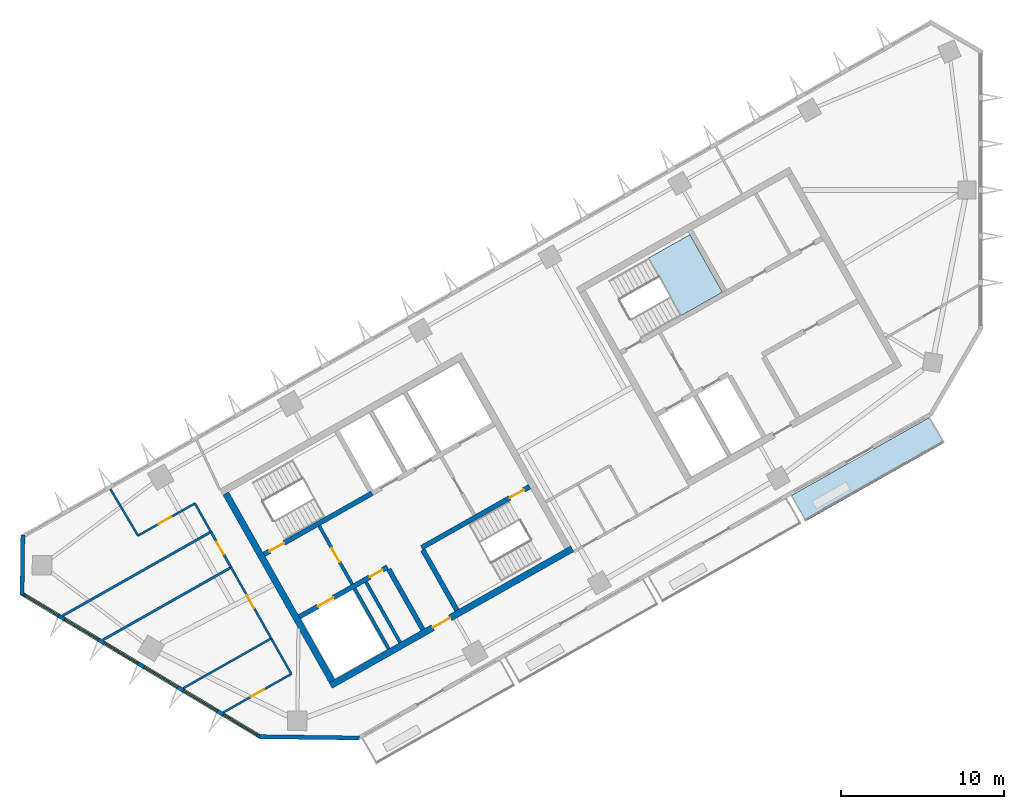
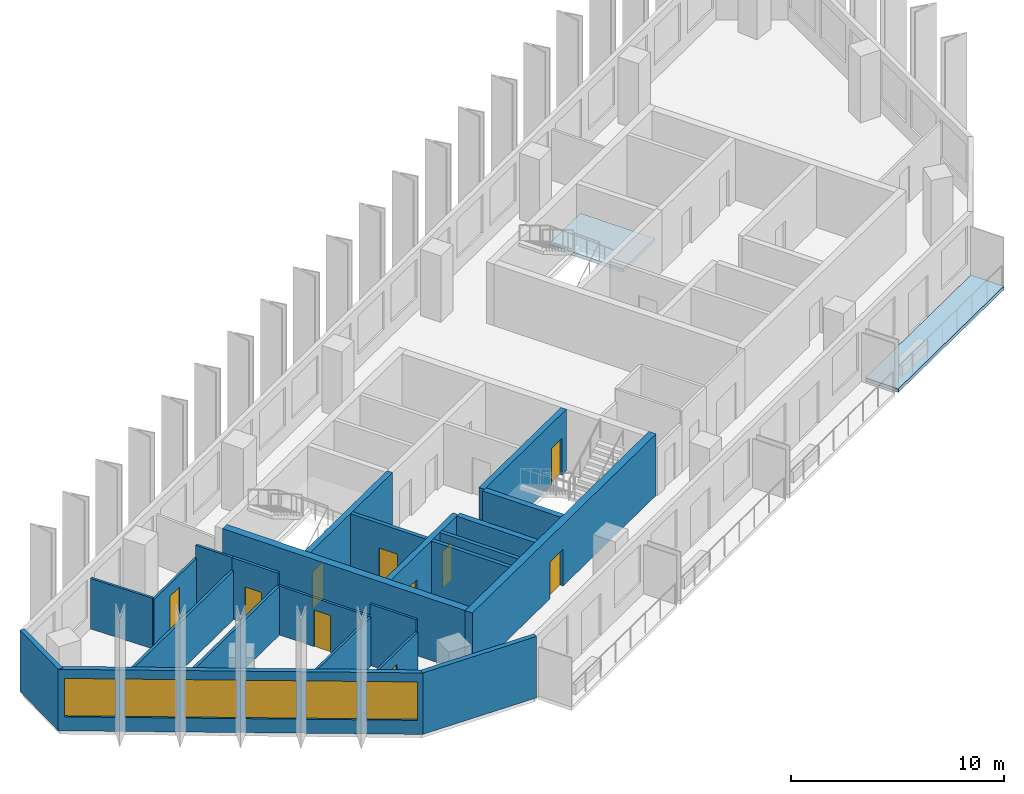
# One storey, part 2 of 8: 23 walls, 10 doors, 6 windows, 2 slabs, 16 openings, 1 element without a shape of its own.
"""IFC4 building model written with IfcOpenShell, lengths in metres."""

from ifc_helpers import new_model, si_unit, direction, frame, frame_2d, origin, place, context, subcontext, project, spatial, polyline, rectangle, outline, extrude, material, layer, layer_set, type_object, element, fill, aggregate, save


model = new_model("IFC4")

# Units and contexts
model_context = context("Model", 3, precision=1e-05, world=origin(), true_north=direction((0.0, 1.0)))
body_context = subcontext(model_context, "Body", "Model", "MODEL_VIEW")
ifc_project = project(units=[si_unit("LENGTHUNIT", "METRE"), si_unit("AREAUNIT", "SQUARE_METRE"), si_unit("VOLUMEUNIT", "CUBIC_METRE"), si_unit("PLANEANGLEUNIT", "RADIAN"), si_unit("MASSUNIT", "GRAM", prefix="KILO")], contexts=[model_context])

# Site, building, storey
site_placement = place(None, origin())
site = spatial("IfcSite", under=ifc_project, at=site_placement, CompositionType="ELEMENT")
building_placement = place(site_placement, origin())
building = spatial("IfcBuilding", under=site, at=building_placement, Name="Binnacle Exchange Tower", CompositionType="ELEMENT")
storey_placement = place(building_placement, frame((0.0, 0.0, 300.699951171875)))
storey = spatial("IfcBuildingStorey", under=building, at=storey_placement, Name="L67", CompositionType="ELEMENT", Elevation=300.699951171875)

# Slab
ifc_material_1 = material(Name="Concrete C35/45", Category="concrete")
ifc_layer_1 = layer(ifc_material_1, 0.199951171875)
ifc_layer_set_1 = layer_set([ifc_layer_1], Name="BALCONY SLAB 200")
slab_type_1 = type_object("IfcSlabType", Name="BALCONY SLAB 200", PredefinedType="FLOOR", material=ifc_layer_set_1)
slab_1_placement = place(storey_placement, frame((0.0, 0.0, -0.199951171875)))
element("IfcSlab", 1, at=slab_1_placement, inside=storey, type_object=slab_type_1, Name="Balcony BA-H07-03 L67", PredefinedType="FLOOR", context=body_context, shape_type="SweptSolid", body=[
    extrude(outline(polyline([(-11.616943359375, 41.28369140625), (-3.115234375, 46.093994140625), (-2.22900390625, 44.527099609375), (-10.730712890625, 39.717041015625), (-11.616943359375, 41.28369140625)])), origin(), (0.0, 0.0, 1.0), 0.199951171875),
])

# Stair, slab
stair_type = type_object("IfcStairType", Name="STAIR 22 RISERS 173", PredefinedType="HALF_TURN_STAIR", material=ifc_material_1)
stair_placement = place(storey_placement, origin())
stair = element("IfcStair", 2, at=stair_placement, inside=storey, type_object=stair_type, Name="L67 Escape stair C1", PredefinedType="HALF_TURN_STAIR")
ifc_layer_2 = layer(ifc_material_1, 0.199951171875)
ifc_layer_set_2 = layer_set([ifc_layer_2], Name="STAIR LANDING 200")
slab_type_2 = type_object("IfcSlabType", Name="STAIR LANDING 200", PredefinedType="LANDING", material=ifc_layer_set_2)
slab_2_placement = place(storey_placement, frame((0.0, 0.0, 1.699951171875)))
slab_2 = element("IfcSlab", 3, at=slab_2_placement, type_object=slab_type_2, Name="STC1 landing 1", PredefinedType="LANDING", context=body_context, shape_type="SweptSolid", body=[
    extrude(outline(polyline([(-18.364013671875, 52.31005859375), (-15.822509765625, 53.748046875), (-17.81689453125, 57.27294921875), (-20.3583984375, 55.8349609375), (-18.364013671875, 52.31005859375)])), origin(), (0.0, 0.0, 1.0), 0.2001953125),
])
aggregate(stair, [slab_2])

# Wall, openings, doors
ifc_material_2 = material(Name="Concrete C70/85", Category="concrete")
ifc_layer_3 = layer(ifc_material_2, 0.300048828125)
ifc_layer_set_3 = layer_set([ifc_layer_3], Name="Core wall - front 300")
wall_type_1 = type_object("IfcWallType", Name="Core wall - front 300", PredefinedType="SOLIDWALL", material=ifc_layer_set_3)
wall_1_placement = place(storey_placement, frame((-41.72998046875, 33.862548828125, 0.0), z_axis=(0.0, 0.0, 1.0), x_axis=(0.870350800578, 0.492432212525, 0.0)))
wall_1 = element("IfcWall", 4, at=wall_1_placement, inside=storey, type_object=wall_type_1, Name="Core wall CRWA2", PredefinedType="SOLIDWALL", context=body_context, shape_type="SweptSolid", body=[
    extrude(rectangle(XDim=6.19970703125, YDim=0.300048828125, at=frame_2d((3.099853515625, 0.0))), origin(), (0.0, 0.0, 1.0), 3.52001953125),
])
opening_1_placement = place(wall_1_placement, frame((1.300048828125, 0.0, 0.0)))
opening_1 = element("IfcOpeningElement", 5, at=opening_1_placement, cuts=wall_1, Name="Opening LD12", PredefinedType="OPENING", context=body_context, shape_type="SweptSolid", body=[
    extrude(rectangle(XDim=1.10009765625, YDim=2.10009765625, at=frame_2d((0.550048828125, 1.050048828125))), frame((0.0, 0.159912109375, 0.0), z_axis=(0.0, -1.0, 0.0), x_axis=(1.0, 0.0, 0.0)), (0.0, 0.0, 1.0), 0.320068359375),
])
opening_2_placement = place(wall_1_placement, frame((4.949951171875, 0.0, 0.0)))
opening_2 = element("IfcOpeningElement", 6, at=opening_2_placement, cuts=wall_1, Name="Opening DA14", PredefinedType="OPENING", context=body_context, shape_type="SweptSolid", body=[
    extrude(rectangle(XDim=0.89990234375, YDim=2.10009765625, at=frame_2d((0.449951171875, 1.050048828125))), frame((0.0, 0.159912109375, 0.0), z_axis=(0.0, -1.0, 0.0), x_axis=(1.0, 0.0, 0.0)), (0.0, 0.0, 1.0), 0.320068359375),
])
ifc_material_3 = material(Name="Steel door leaf", Category="steel")
door_type_1 = type_object("IfcDoorType", Name="Fire door - lift landing 1100", OperationType="NOTDEFINED", PredefinedType="DOOR", material=ifc_material_3)
door_1_placement = place(opening_1_placement, origin())
door_1 = element("IfcDoor", 7, at=door_1_placement, inside=storey, type_object=door_type_1, Name="Landing door LD12 L67", OperationType="DOUBLE_DOOR_SLIDING", OverallHeight=2.10009765625, OverallWidth=1.10009765625, PredefinedType="DOOR", context=body_context, shape_type="SweptSolid", body=[
    extrude(rectangle(XDim=1.10009765625, YDim=2.10009765625, at=frame_2d((0.550048828125, 1.050048828125))), frame((0.0, 0.02490234375, 0.0), z_axis=(0.0, -1.0, 0.0), x_axis=(1.0, 0.0, 0.0)), (0.0, 0.0, 1.0), 0.050048828125),
])
fill(opening_1, door_1)
door_type_2 = type_object("IfcDoorType", Name="Fire door 900", OperationType="NOTDEFINED", PredefinedType="DOOR", material=ifc_material_3)
door_2_placement = place(opening_2_placement, frame((0.89990234375, 0.0, 0.0), z_axis=(0.0, 0.0, 1.0), x_axis=(-1.0, 0.0, 0.0)))
door_2 = element("IfcDoor", 8, at=door_2_placement, inside=storey, type_object=door_type_2, Name="Core room door FIBRE ENTRY ROOM", OperationType="SINGLE_SWING_LEFT", OverallHeight=2.10009765625, OverallWidth=0.89990234375, PredefinedType="DOOR", context=body_context, shape_type="SweptSolid", body=[
    extrude(rectangle(XDim=0.89990234375, YDim=2.10009765625, at=frame_2d((0.449951171875, 1.050048828125))), frame((0.0, 0.02490234375, 0.0), z_axis=(0.0, -1.0, 0.0), x_axis=(1.0, 0.0, 0.0)), (0.0, 0.0, 1.0), 0.050048828125),
])
fill(opening_2, door_2)

# Wall
wall_2_placement = place(storey_placement, frame((-36.260009765625, 36.784912109375, 0.0), z_axis=(0.0, 0.0, 1.0), x_axis=(0.492422543467, -0.870356271124, 0.0)))
element("IfcWall", 9, at=wall_2_placement, inside=storey, type_object=wall_type_1, Name="Core wall CRWA13", PredefinedType="SOLIDWALL", context=body_context, shape_type="SweptSolid", body=[
    extrude(rectangle(XDim=4.25, YDim=0.300048828125, at=frame_2d((2.125, 0.0))), origin(), (0.0, 0.0, 1.0), 3.52001953125),
])

# Wall, opening, door
ifc_layer_4 = layer(ifc_material_2, 0.39990234375)
ifc_layer_set_4 = layer_set([ifc_layer_4], Name="Core wall - outer 400")
wall_type_2 = type_object("IfcWallType", Name="Core wall - outer 400", PredefinedType="SOLIDWALL", material=ifc_layer_set_4)
wall_3_placement = place(storey_placement, frame((-39.81298828125, 29.661865234375, 0.0), z_axis=(0.0, 0.0, 1.0), x_axis=(0.870350116061, 0.492433422375, 0.0)))
wall_3 = element("IfcWall", 10, at=wall_3_placement, inside=storey, type_object=wall_type_2, Name="Core wall CRWA1", PredefinedType="SOLIDWALL", context=body_context, shape_type="SweptSolid", body=[
    extrude(rectangle(XDim=17.0, YDim=0.39990234375, at=frame_2d((8.5, 0.0))), origin(), (0.0, 0.0, 1.0), 3.52001953125),
])
opening_3_placement = place(wall_3_placement, frame((7.199951171875, 0.0, 0.0)))
opening_3 = element("IfcOpeningElement", 11, at=opening_3_placement, cuts=wall_3, Name="Opening DA7", PredefinedType="OPENING", context=body_context, shape_type="SweptSolid", body=[
    extrude(rectangle(XDim=1.199951171875, YDim=2.10009765625, at=frame_2d((0.60009765625, 1.050048828125))), frame((0.0, 0.2099609375, 0.0), z_axis=(0.0, -1.0, 0.0), x_axis=(1.0, 0.0, 0.0)), (0.0, 0.0, 1.0), 0.419921875),
])
door_type_3 = type_object("IfcDoorType", Name="Fire door 1200", OperationType="NOTDEFINED", PredefinedType="DOOR", material=ifc_material_3)
door_3_placement = place(opening_3_placement, frame((1.199951171875, 0.0, 0.0), z_axis=(0.0, 0.0, 1.0), x_axis=(-1.0, 0.0, 0.0)))
door_3 = element("IfcDoor", 12, at=door_3_placement, inside=storey, type_object=door_type_3, Name="Lift lobby entrance door core A", OperationType="SINGLE_SWING_RIGHT", OverallHeight=2.10009765625, OverallWidth=1.199951171875, PredefinedType="DOOR", context=body_context, shape_type="SweptSolid", body=[
    extrude(rectangle(XDim=1.199951171875, YDim=2.10009765625, at=frame_2d((0.60009765625, 1.050048828125))), frame((0.0, 0.02490234375, 0.0), z_axis=(0.0, -1.0, 0.0), x_axis=(1.0, 0.0, 0.0)), (0.0, 0.0, 1.0), 0.050048828125),
])
fill(opening_3, door_3)

# Wall
wall_4_placement = place(storey_placement, frame((-46.237548828125, 41.423095703125, 0.0), z_axis=(0.0, 0.0, 1.0), x_axis=(0.492421663121, -0.870356769198, 0.0)))
element("IfcWall", 13, at=wall_4_placement, inside=storey, type_object=wall_type_2, Name="Core wall CRWA7", PredefinedType="SOLIDWALL", context=body_context, shape_type="SweptSolid", body=[
    extrude(rectangle(XDim=13.199951171875, YDim=0.39990234375, at=frame_2d((6.60009765625, 0.0))), origin(), (0.0, 0.0, 1.0), 3.52001953125),
])

# Wall, opening, door
ifc_layer_5 = layer(ifc_material_2, 0.300048828125)
ifc_layer_set_5 = layer_set([ifc_layer_5], Name="Core wall - stair 300")
wall_type_3 = type_object("IfcWallType", Name="Core wall - stair 300", PredefinedType="SOLIDWALL", material=ifc_layer_set_5)
wall_5_placement = place(storey_placement, frame((-34.2451171875, 38.097412109375, 0.0), z_axis=(0.0, 0.0, 1.0), x_axis=(0.870356351998, 0.492422400523, 0.0)))
wall_5 = element("IfcWall", 14, at=wall_5_placement, inside=storey, type_object=wall_type_3, Name="Core wall CRWA3", PredefinedType="SOLIDWALL", context=body_context, shape_type="SweptSolid", body=[
    extrude(rectangle(XDim=7.60009765625, YDim=0.300048828125, at=frame_2d((3.800048828125, 0.0))), origin(), (0.0, 0.0, 1.0), 3.52001953125),
])
opening_4_placement = place(wall_5_placement, frame((6.199951171875, 0.0, 0.0)))
opening_4 = element("IfcOpeningElement", 15, at=opening_4_placement, cuts=wall_5, Name="Opening DA2", PredefinedType="OPENING", context=body_context, shape_type="SweptSolid", body=[
    extrude(rectangle(XDim=1.0, YDim=2.10009765625, at=frame_2d((0.5, 1.050048828125))), frame((0.0, 0.159912109375, 0.0), z_axis=(0.0, -1.0, 0.0), x_axis=(1.0, 0.0, 0.0)), (0.0, 0.0, 1.0), 0.320068359375),
])
door_type_4 = type_object("IfcDoorType", Name="Fire door 1000", OperationType="NOTDEFINED", PredefinedType="DOOR", material=ifc_material_3)
door_4_placement = place(opening_4_placement, frame((1.0, 0.0, 0.0), z_axis=(0.0, 0.0, 1.0), x_axis=(-1.0, 0.0, 0.0)))
door_4 = element("IfcDoor", 16, at=door_4_placement, inside=storey, type_object=door_type_4, Name="Stair door ST-A2", OperationType="SINGLE_SWING_LEFT", OverallHeight=2.10009765625, OverallWidth=1.0, PredefinedType="DOOR", context=body_context, shape_type="SweptSolid", body=[
    extrude(rectangle(XDim=1.0, YDim=2.10009765625, at=frame_2d((0.5, 1.050048828125))), frame((0.0, 0.02490234375, 0.0), z_axis=(0.0, -1.0, 0.0), x_axis=(1.0, 0.0, 0.0)), (0.0, 0.0, 1.0), 0.050048828125),
])
fill(opening_4, door_4)

wall_6_placement = place(storey_placement, frame((-43.896728515625, 37.692138671875, 0.0), z_axis=(0.0, 0.0, 1.0), x_axis=(0.870356351998, 0.492422400523, 0.0)))
wall_6 = element("IfcWall", 17, at=wall_6_placement, inside=storey, type_object=wall_type_3, Name="Core wall CRWA4", PredefinedType="SOLIDWALL", context=body_context, shape_type="SweptSolid", body=[
    extrude(rectangle(XDim=7.60009765625, YDim=0.300048828125, at=frame_2d((3.800048828125, 0.0))), origin(), (0.0, 0.0, 1.0), 3.52001953125),
])
opening_5_placement = place(wall_6_placement, frame((0.39990234375, 0.0, 0.0)))
opening_5 = element("IfcOpeningElement", 18, at=opening_5_placement, cuts=wall_6, Name="Opening DA1", PredefinedType="OPENING", context=body_context, shape_type="SweptSolid", body=[
    extrude(rectangle(XDim=1.0, YDim=2.10009765625, at=frame_2d((0.5, 1.050048828125))), frame((0.0, 0.159912109375, 0.0), z_axis=(0.0, -1.0, 0.0), x_axis=(1.0, 0.0, 0.0)), (0.0, 0.0, 1.0), 0.320068359375),
])
door_5_placement = place(opening_5_placement, origin())
door_5 = element("IfcDoor", 19, at=door_5_placement, inside=storey, type_object=door_type_4, Name="Stair door ST-A1", OperationType="SINGLE_SWING_LEFT", OverallHeight=2.10009765625, OverallWidth=1.0, PredefinedType="DOOR", context=body_context, shape_type="SweptSolid", body=[
    extrude(rectangle(XDim=1.0, YDim=2.10009765625, at=frame_2d((0.5, 1.050048828125))), frame((0.0, 0.02490234375, 0.0), z_axis=(0.0, -1.0, 0.0), x_axis=(1.0, 0.0, 0.0)), (0.0, 0.0, 1.0), 0.050048828125),
])
fill(opening_5, door_5)

# Walls
wall_7_placement = place(storey_placement, frame((-34.171142578125, 37.966796875, 0.0), z_axis=(0.0, 0.0, 1.0), x_axis=(0.492422543467, -0.870356271124, 0.0)))
element("IfcWall", 20, at=wall_7_placement, inside=storey, type_object=wall_type_3, Name="Core wall CRWA16", PredefinedType="SOLIDWALL", context=body_context, shape_type="SweptSolid", body=[
    extrude(rectangle(XDim=4.25, YDim=0.300048828125, at=frame_2d((2.125, 0.0))), origin(), (0.0, 0.0, 1.0), 3.52001953125),
])
ifc_material_4 = material(Name="Bronze aluminium cladding", Category="aluminium")
ifc_layer_6 = layer(ifc_material_4, 0.25)
ifc_layer_set_6 = layer_set([ifc_layer_6], Name="External wall - window wall 250")
wall_type_4 = type_object("IfcWallType", Name="External wall - window wall 250", PredefinedType="STANDARD", material=ifc_layer_set_6)
wall_8_placement = place(storey_placement, frame((-58.717041015625, 35.208251953125, 0.0), z_axis=(0.0, 0.0, 1.0), x_axis=(0.01310512158, 0.999914124207, 0.0)))
element("IfcWall", 21, at=wall_8_placement, inside=storey, type_object=wall_type_4, Name="External wall EW-H04 L67", PredefinedType="STANDARD", context=body_context, shape_type="SweptSolid", body=[
    extrude(rectangle(XDim=3.669921875, YDim=0.25, at=frame_2d((1.8349609375, 0.0))), origin(), (0.0, 0.0, 1.0), 3.52001953125),
])

# Wall, openings, windows
wall_9_placement = place(storey_placement, frame((-44.115234375, 26.507080078125, 0.0), z_axis=(0.0, 0.0, 1.0), x_axis=(-0.857166583633, 0.515039268311, 0.0)))
wall_9 = element("IfcWall", 22, at=wall_9_placement, inside=storey, type_object=wall_type_4, Name="External wall EW-H05 L67", PredefinedType="STANDARD", context=body_context, shape_type="SweptSolid", body=[
    extrude(rectangle(XDim=17.105712890625, YDim=0.25, at=frame_2d((8.552734375, 0.0))), origin(), (0.0, 0.0, 1.0), 3.52001953125),
])
opening_6_placement = place(wall_9_placement, frame((14.4169921875, 0.0, 0.800048828125)))
opening_6 = element("IfcOpeningElement", 23, at=opening_6_placement, cuts=wall_9, Name="Opening WR2", PredefinedType="OPENING", context=body_context, shape_type="SweptSolid", body=[
    extrude(rectangle(XDim=2.39990234375, YDim=2.199951171875, at=frame_2d((1.199951171875, 1.10009765625))), frame((0.0, 0.135009765625, 0.0), z_axis=(0.0, -1.0, 0.0), x_axis=(1.0, 0.0, 0.0)), (0.0, 0.0, 1.0), 0.27001953125),
])
opening_7_placement = place(wall_9_placement, frame((11.583740234375, 0.0, 0.800048828125)))
opening_7 = element("IfcOpeningElement", 24, at=opening_7_placement, cuts=wall_9, Name="Opening WR2", PredefinedType="OPENING", context=body_context, shape_type="SweptSolid", body=[
    extrude(rectangle(XDim=2.39990234375, YDim=2.199951171875, at=frame_2d((1.199951171875, 1.10009765625))), frame((0.0, 0.135009765625, 0.0), z_axis=(0.0, -1.0, 0.0), x_axis=(1.0, 0.0, 0.0)), (0.0, 0.0, 1.0), 0.27001953125),
])
opening_8_placement = place(wall_9_placement, frame((8.75048828125, 0.0, 0.800048828125)))
opening_8 = element("IfcOpeningElement", 25, at=opening_8_placement, cuts=wall_9, Name="Opening WR2", PredefinedType="OPENING", context=body_context, shape_type="SweptSolid", body=[
    extrude(rectangle(XDim=2.39990234375, YDim=2.199951171875, at=frame_2d((1.199951171875, 1.10009765625))), frame((0.0, 0.135009765625, 0.0), z_axis=(0.0, -1.0, 0.0), x_axis=(1.0, 0.0, 0.0)), (0.0, 0.0, 1.0), 0.27001953125),
])
opening_9_placement = place(wall_9_placement, frame((5.9169921875, 0.0, 0.800048828125)))
opening_9 = element("IfcOpeningElement", 26, at=opening_9_placement, cuts=wall_9, Name="Opening WR2", PredefinedType="OPENING", context=body_context, shape_type="SweptSolid", body=[
    extrude(rectangle(XDim=2.39990234375, YDim=2.199951171875, at=frame_2d((1.199951171875, 1.10009765625))), frame((0.0, 0.135009765625, 0.0), z_axis=(0.0, -1.0, 0.0), x_axis=(1.0, 0.0, 0.0)), (0.0, 0.0, 1.0), 0.27001953125),
])
opening_10_placement = place(wall_9_placement, frame((3.083740234375, 0.0, 0.800048828125)))
opening_10 = element("IfcOpeningElement", 27, at=opening_10_placement, cuts=wall_9, Name="Opening WR2", PredefinedType="OPENING", context=body_context, shape_type="SweptSolid", body=[
    extrude(rectangle(XDim=2.39990234375, YDim=2.199951171875, at=frame_2d((1.199951171875, 1.10009765625))), frame((0.0, 0.135009765625, 0.0), z_axis=(0.0, -1.0, 0.0), x_axis=(1.0, 0.0, 0.0)), (0.0, 0.0, 1.0), 0.27001953125),
])
opening_11_placement = place(wall_9_placement, frame((0.25048828125, 0.0, 0.800048828125)))
opening_11 = element("IfcOpeningElement", 28, at=opening_11_placement, cuts=wall_9, Name="Opening WR2", PredefinedType="OPENING", context=body_context, shape_type="SweptSolid", body=[
    extrude(rectangle(XDim=2.39990234375, YDim=2.199951171875, at=frame_2d((1.199951171875, 1.10009765625))), frame((0.0, 0.135009765625, 0.0), z_axis=(0.0, -1.0, 0.0), x_axis=(1.0, 0.0, 0.0)), (0.0, 0.0, 1.0), 0.27001953125),
])
ifc_material_5 = material(Name="Bronze anodised aluminium frame", Category="aluminium")
window_type = type_object("IfcWindowType", Name="WR2 WINDOW 2400x2200", PartitioningType="SINGLE_PANEL", PredefinedType="WINDOW", material=ifc_material_5)
window_1_placement = place(opening_6_placement, origin())
window_1 = element("IfcWindow", 29, at=window_1_placement, inside=storey, type_object=window_type, Name="Window WR2 L67", OverallHeight=2.199951171875, OverallWidth=2.39990234375, PartitioningType="SINGLE_PANEL", PredefinedType="WINDOW", context=body_context, shape_type="SweptSolid", body=[
    extrude(rectangle(XDim=2.39990234375, YDim=2.199951171875, at=frame_2d((1.199951171875, 1.10009765625))), frame((0.0, 0.030029296875, 0.0), z_axis=(0.0, -1.0, 0.0), x_axis=(1.0, 0.0, 0.0)), (0.0, 0.0, 1.0), 0.06005859375),
])
fill(opening_6, window_1)
window_2_placement = place(opening_7_placement, origin())
window_2 = element("IfcWindow", 30, at=window_2_placement, inside=storey, type_object=window_type, Name="Window WR2 L67", OverallHeight=2.199951171875, OverallWidth=2.39990234375, PartitioningType="SINGLE_PANEL", PredefinedType="WINDOW", context=body_context, shape_type="SweptSolid", body=[
    extrude(rectangle(XDim=2.39990234375, YDim=2.199951171875, at=frame_2d((1.199951171875, 1.10009765625))), frame((0.0, 0.030029296875, 0.0), z_axis=(0.0, -1.0, 0.0), x_axis=(1.0, 0.0, 0.0)), (0.0, 0.0, 1.0), 0.06005859375),
])
fill(opening_7, window_2)
window_3_placement = place(opening_8_placement, origin())
window_3 = element("IfcWindow", 31, at=window_3_placement, inside=storey, type_object=window_type, Name="Window WR2 L67", OverallHeight=2.199951171875, OverallWidth=2.39990234375, PartitioningType="SINGLE_PANEL", PredefinedType="WINDOW", context=body_context, shape_type="SweptSolid", body=[
    extrude(rectangle(XDim=2.39990234375, YDim=2.199951171875, at=frame_2d((1.199951171875, 1.10009765625))), frame((0.0, 0.030029296875, 0.0), z_axis=(0.0, -1.0, 0.0), x_axis=(1.0, 0.0, 0.0)), (0.0, 0.0, 1.0), 0.06005859375),
])
fill(opening_8, window_3)
window_4_placement = place(opening_9_placement, origin())
window_4 = element("IfcWindow", 32, at=window_4_placement, inside=storey, type_object=window_type, Name="Window WR2 L67", OverallHeight=2.199951171875, OverallWidth=2.39990234375, PartitioningType="SINGLE_PANEL", PredefinedType="WINDOW", context=body_context, shape_type="SweptSolid", body=[
    extrude(rectangle(XDim=2.39990234375, YDim=2.199951171875, at=frame_2d((1.199951171875, 1.10009765625))), frame((0.0, 0.030029296875, 0.0), z_axis=(0.0, -1.0, 0.0), x_axis=(1.0, 0.0, 0.0)), (0.0, 0.0, 1.0), 0.06005859375),
])
fill(opening_9, window_4)
window_5_placement = place(opening_10_placement, origin())
window_5 = element("IfcWindow", 33, at=window_5_placement, inside=storey, type_object=window_type, Name="Window WR2 L67", OverallHeight=2.199951171875, OverallWidth=2.39990234375, PartitioningType="SINGLE_PANEL", PredefinedType="WINDOW", context=body_context, shape_type="SweptSolid", body=[
    extrude(rectangle(XDim=2.39990234375, YDim=2.199951171875, at=frame_2d((1.199951171875, 1.10009765625))), frame((0.0, 0.030029296875, 0.0), z_axis=(0.0, -1.0, 0.0), x_axis=(1.0, 0.0, 0.0)), (0.0, 0.0, 1.0), 0.06005859375),
])
fill(opening_10, window_5)
window_6_placement = place(opening_11_placement, origin())
window_6 = element("IfcWindow", 34, at=window_6_placement, inside=storey, type_object=window_type, Name="Window WR2 L67", OverallHeight=2.199951171875, OverallWidth=2.39990234375, PartitioningType="SINGLE_PANEL", PredefinedType="WINDOW", context=body_context, shape_type="SweptSolid", body=[
    extrude(rectangle(XDim=2.39990234375, YDim=2.199951171875, at=frame_2d((1.199951171875, 1.10009765625))), frame((0.0, 0.030029296875, 0.0), z_axis=(0.0, -1.0, 0.0), x_axis=(1.0, 0.0, 0.0)), (0.0, 0.0, 1.0), 0.06005859375),
])
fill(opening_11, window_6)

# Wall
wall_10_placement = place(storey_placement, frame((-38.06396484375, 26.44482421875, 0.0), z_axis=(0.0, 0.0, 1.0), x_axis=(-0.999914239143, 0.013096349097, 0.0)))
element("IfcWall", 35, at=wall_10_placement, inside=storey, type_object=wall_type_4, Name="External wall EW-H06 L67", PredefinedType="STANDARD", context=body_context, shape_type="SweptSolid", body=[
    extrude(rectangle(XDim=6.114501953125, YDim=0.25, at=frame_2d((3.05712890625, 0.0))), origin(), (0.0, 0.0, 1.0), 3.52001953125),
])

# Wall, opening, door
ifc_material_6 = material(Name="Masonry block wall", Category="masonry")
ifc_layer_7 = layer(ifc_material_6, 0.199951171875)
ifc_layer_set_7 = layer_set([ifc_layer_7], Name="Fire wall - vestibule 200")
wall_type_5 = type_object("IfcWallType", Name="Fire wall - vestibule 200", PredefinedType="PARTITIONING", material=ifc_layer_set_7)
wall_11_placement = place(storey_placement, frame((-40.515625, 39.4326171875, 0.0), z_axis=(0.0, 0.0, 1.0), x_axis=(0.492453559952, -0.87033872216, 0.0)))
wall_11 = element("IfcWall", 36, at=wall_11_placement, inside=storey, type_object=wall_type_5, Name="Core wall CRWA10", PredefinedType="PARTITIONING", context=body_context, shape_type="SweptSolid", body=[
    extrude(rectangle(XDim=4.099853515625, YDim=0.199951171875, at=frame_2d((2.0498046875, 0.0))), origin(), (0.0, 0.0, 1.0), 3.52001953125),
])
opening_12_placement = place(wall_11_placement, frame((1.550048828125, 0.0, 0.0)))
opening_12 = element("IfcOpeningElement", 37, at=opening_12_placement, cuts=wall_11, Name="Opening DA3", PredefinedType="OPENING", context=body_context, shape_type="SweptSolid", body=[
    extrude(rectangle(XDim=1.0, YDim=2.10009765625, at=frame_2d((0.5, 1.050048828125))), frame((0.0, 0.10986328125, 0.0), z_axis=(0.0, -1.0, 0.0), x_axis=(1.0, 0.0, 0.0)), (0.0, 0.0, 1.0), 0.219970703125),
])
door_6_placement = place(opening_12_placement, frame((1.0, 0.0, 0.0), z_axis=(0.0, 0.0, 1.0), x_axis=(-1.0, 0.0, 0.0)))
door_6 = element("IfcDoor", 38, at=door_6_placement, inside=storey, type_object=door_type_4, Name="Vestibule door VEST-W", OperationType="SINGLE_SWING_LEFT", OverallHeight=2.10009765625, OverallWidth=1.0, PredefinedType="DOOR", context=body_context, shape_type="SweptSolid", body=[
    extrude(rectangle(XDim=1.0, YDim=2.10009765625, at=frame_2d((0.5, 1.050048828125))), frame((0.0, 0.02490234375, 0.0), z_axis=(0.0, -1.0, 0.0), x_axis=(1.0, 0.0, 0.0)), (0.0, 0.0, 1.0), 0.050048828125),
])
fill(opening_12, door_6)

# Walls
ifc_material_7 = material(Name="Gypsum partition fire rated")
ifc_layer_8 = layer(ifc_material_7, 0.14990234375)
ifc_layer_set_8 = layer_set([ifc_layer_8], Name="Fire-rated partition 150")
wall_type_6 = type_object("IfcWallType", Name="Fire-rated partition 150", PredefinedType="PARTITIONING", material=ifc_layer_set_8)
wall_12_placement = place(storey_placement, frame((-56.22900390625, 33.931884765625, 0.0), z_axis=(0.0, 0.0, 1.0), x_axis=(0.870363189886, 0.492410314364, 0.0)))
element("IfcWall", 39, at=wall_12_placement, inside=storey, type_object=wall_type_6, Name="Partition W01", PredefinedType="PARTITIONING", context=body_context, shape_type="SweptSolid", body=[
    extrude(rectangle(XDim=10.434814453125, YDim=0.14990234375, at=frame_2d((5.21728515625, 0.0))), origin(), (0.0, 0.0, 1.0), 2.800048828125),
])
wall_13_placement = place(storey_placement, frame((-53.76708984375, 32.452880859375, 0.0), z_axis=(0.0, 0.0, 1.0), x_axis=(0.870345499828, 0.492441581235, 0.0)))
element("IfcWall", 40, at=wall_13_placement, inside=storey, type_object=wall_type_6, Name="Partition W02", PredefinedType="PARTITIONING", context=body_context, shape_type="SweptSolid", body=[
    extrude(rectangle(XDim=9.020751953125, YDim=0.14990234375, at=frame_2d((4.51025390625, 0.0))), origin(), (0.0, 0.0, 1.0), 2.800048828125),
])

# Wall, opening, door
wall_14_placement = place(storey_placement, frame((-47.14697265625, 39.070068359375, 0.0), z_axis=(0.0, 0.0, 1.0), x_axis=(0.492536798944, -0.870291618761, 0.0)))
wall_14 = element("IfcWall", 41, at=wall_14_placement, inside=storey, type_object=wall_type_6, Name="Partition W08", PredefinedType="PARTITIONING", context=body_context, shape_type="SweptSolid", body=[
    extrude(rectangle(XDim=2.499267578125, YDim=0.14990234375, at=frame_2d((1.24951171875, 0.0))), origin(), (0.0, 0.0, 1.0), 3.52001953125),
])
opening_13_placement = place(wall_14_placement, frame((0.699951171875, 0.0, 0.0)))
opening_13 = element("IfcOpeningElement", 42, at=opening_13_placement, cuts=wall_14, Name="Opening DL65-03", PredefinedType="OPENING", context=body_context, shape_type="SweptSolid", body=[
    extrude(rectangle(XDim=0.89990234375, YDim=2.10009765625, at=frame_2d((0.449951171875, 1.050048828125))), frame((0.0, 0.0849609375, 0.0), z_axis=(0.0, -1.0, 0.0), x_axis=(1.0, 0.0, 0.0)), (0.0, 0.0, 1.0), 0.169921875),
])
door_7_placement = place(opening_13_placement, frame((0.89990234375, 0.0, 0.0), z_axis=(0.0, 0.0, 1.0), x_axis=(-1.0, 0.0, 0.0)))
door_7 = element("IfcDoor", 43, at=door_7_placement, inside=storey, type_object=door_type_2, Name="Door DL65-03", OperationType="SINGLE_SWING_RIGHT", OverallHeight=2.10009765625, OverallWidth=0.89990234375, PredefinedType="DOOR", context=body_context, shape_type="SweptSolid", body=[
    extrude(rectangle(XDim=0.89990234375, YDim=2.10009765625, at=frame_2d((0.449951171875, 1.050048828125))), frame((0.0, 0.02490234375, 0.0), z_axis=(0.0, -1.0, 0.0), x_axis=(1.0, 0.0, 0.0)), (0.0, 0.0, 1.0), 0.050048828125),
])
fill(opening_13, door_7)

# Wall
ifc_material_8 = material(Name="Gypsum partition")
ifc_layer_9 = layer(ifc_material_8, 0.125)
ifc_layer_set_9 = layer_set([ifc_layer_9], Name="Partition 125")
wall_type_7 = type_object("IfcWallType", Name="Partition 125", PredefinedType="PARTITIONING", material=ifc_layer_set_9)
wall_15_placement = place(storey_placement, frame((-53.30908203125, 41.696044921875, 0.0), z_axis=(0.0, 0.0, 1.0), x_axis=(0.510739180143, -0.859735709312, 0.0)))
element("IfcWall", 44, at=wall_15_placement, inside=storey, type_object=wall_type_7, Name="Partition W03", PredefinedType="PARTITIONING", context=body_context, shape_type="SweptSolid", body=[
    extrude(rectangle(XDim=3.32080078125, YDim=0.125, at=frame_2d((1.660400390625, 0.0))), origin(), (0.0, 0.0, 1.0), 2.89404296875),
])

# Wall, opening, door
wall_16_placement = place(storey_placement, frame((-51.613037109375, 38.841064453125, 0.0), z_axis=(0.0, 0.0, 1.0), x_axis=(0.870297830159, 0.492525823506, 0.0)))
wall_16 = element("IfcWall", 45, at=wall_16_placement, inside=storey, type_object=wall_type_7, Name="Partition W04", PredefinedType="PARTITIONING", context=body_context, shape_type="SweptSolid", body=[
    extrude(rectangle(XDim=3.999755859375, YDim=0.125, at=frame_2d((2.0, 0.0))), origin(), (0.0, 0.0, 1.0), 2.800048828125),
])
opening_14_placement = place(wall_16_placement, frame((1.449951171875, 0.0, 0.0)))
opening_14 = element("IfcOpeningElement", 46, at=opening_14_placement, cuts=wall_16, Name="Opening DL65-04", PredefinedType="OPENING", context=body_context, shape_type="SweptSolid", body=[
    extrude(rectangle(XDim=0.89990234375, YDim=2.10009765625, at=frame_2d((0.449951171875, 1.050048828125))), frame((0.0, 0.072509765625, 0.0), z_axis=(0.0, -1.0, 0.0), x_axis=(1.0, 0.0, 0.0)), (0.0, 0.0, 1.0), 0.14501953125),
])
ifc_material_9 = material(Name="Timber door leaf", Category="wood")
door_type_5 = type_object("IfcDoorType", Name="Door 900", OperationType="NOTDEFINED", PredefinedType="DOOR", material=ifc_material_9)
door_8_placement = place(opening_14_placement, frame((0.89990234375, 0.0, 0.0), z_axis=(0.0, 0.0, 1.0), x_axis=(-1.0, 0.0, 0.0)))
door_8 = element("IfcDoor", 47, at=door_8_placement, inside=storey, type_object=door_type_5, Name="Door DL65-04", OperationType="SINGLE_SWING_RIGHT", OverallHeight=2.10009765625, OverallWidth=0.89990234375, PredefinedType="DOOR", context=body_context, shape_type="SweptSolid", body=[
    extrude(rectangle(XDim=0.89990234375, YDim=2.10009765625, at=frame_2d((0.449951171875, 1.050048828125))), frame((0.0, 0.02490234375, 0.0), z_axis=(0.0, -1.0, 0.0), x_axis=(1.0, 0.0, 0.0)), (0.0, 0.0, 1.0), 0.050048828125),
])
fill(opening_14, door_8)

# Walls
wall_17_placement = place(storey_placement, frame((-48.843017578125, 29.493896484375, 0.0), z_axis=(0.0, 0.0, 1.0), x_axis=(0.870343909083, 0.492444392721, 0.0)))
element("IfcWall", 48, at=wall_17_placement, inside=storey, type_object=wall_type_7, Name="Partition W05", PredefinedType="PARTITIONING", context=body_context, shape_type="SweptSolid", body=[
    extrude(rectangle(XDim=6.191650390625, YDim=0.125, at=frame_2d((3.095703125, 0.0))), origin(), (0.0, 0.0, 1.0), 2.800048828125),
])
wall_18_placement = place(storey_placement, frame((-48.132080078125, 40.81103515625, 0.0), z_axis=(0.0, 0.0, 1.0), x_axis=(0.492467412326, -0.870330884088, 0.0)))
element("IfcWall", 49, at=wall_18_placement, inside=storey, type_object=wall_type_7, Name="Partition W06", PredefinedType="PARTITIONING", context=body_context, shape_type="SweptSolid", body=[
    extrude(rectangle(XDim=2.000244140625, YDim=0.125, at=frame_2d((1.0, 0.0))), origin(), (0.0, 0.0, 1.0), 3.52001953125),
])

# Wall, opening, door
wall_19_placement = place(storey_placement, frame((-46.381103515625, 28.014892578125, 0.0), z_axis=(0.0, 0.0, 1.0), x_axis=(0.870404795821, 0.49233676626, 0.0)))
wall_19 = element("IfcWall", 50, at=wall_19_placement, inside=storey, type_object=wall_type_7, Name="Partition W09", PredefinedType="PARTITIONING", context=body_context, shape_type="SweptSolid", body=[
    extrude(rectangle(XDim=4.77734375, YDim=0.125, at=frame_2d((2.388671875, 0.0))), origin(), (0.0, 0.0, 1.0), 2.800048828125),
])
opening_15_placement = place(wall_19_placement, frame((1.949951171875, 0.0, 0.0)))
opening_15 = element("IfcOpeningElement", 51, at=opening_15_placement, cuts=wall_19, Name="Opening DL65-01", PredefinedType="OPENING", context=body_context, shape_type="SweptSolid", body=[
    extrude(rectangle(XDim=0.89990234375, YDim=2.10009765625, at=frame_2d((0.449951171875, 1.050048828125))), frame((0.0, 0.072509765625, 0.0), z_axis=(0.0, -1.0, 0.0), x_axis=(1.0, 0.0, 0.0)), (0.0, 0.0, 1.0), 0.14501953125),
])
door_9_placement = place(opening_15_placement, origin())
door_9 = element("IfcDoor", 52, at=door_9_placement, inside=storey, type_object=door_type_5, Name="Door DL65-01", OperationType="SINGLE_SWING_RIGHT", OverallHeight=2.10009765625, OverallWidth=0.89990234375, PredefinedType="DOOR", context=body_context, shape_type="SweptSolid", body=[
    extrude(rectangle(XDim=0.89990234375, YDim=2.10009765625, at=frame_2d((0.449951171875, 1.050048828125))), frame((0.0, 0.02490234375, 0.0), z_axis=(0.0, -1.0, 0.0), x_axis=(1.0, 0.0, 0.0)), (0.0, 0.0, 1.0), 0.050048828125),
])
fill(opening_15, door_9)

wall_20_placement = place(storey_placement, frame((-45.916015625, 36.89501953125, 0.0), z_axis=(0.0, 0.0, 1.0), x_axis=(0.492369352746, -0.870386362759, 0.0)))
wall_20 = element("IfcWall", 53, at=wall_20_placement, inside=storey, type_object=wall_type_7, Name="Partition W10", PredefinedType="PARTITIONING", context=body_context, shape_type="SweptSolid", body=[
    extrude(rectangle(XDim=5.000244140625, YDim=0.125, at=frame_2d((2.5, 0.0))), origin(), (0.0, 0.0, 1.0), 2.800048828125),
])
opening_16_placement = place(wall_20_placement, frame((1.949951171875, 0.0, 0.0)))
opening_16 = element("IfcOpeningElement", 54, at=opening_16_placement, cuts=wall_20, Name="Opening DL65-02", PredefinedType="OPENING", context=body_context, shape_type="SweptSolid", body=[
    extrude(rectangle(XDim=0.89990234375, YDim=2.10009765625, at=frame_2d((0.449951171875, 1.050048828125))), frame((0.0, 0.072509765625, 0.0), z_axis=(0.0, -1.0, 0.0), x_axis=(1.0, 0.0, 0.0)), (0.0, 0.0, 1.0), 0.14501953125),
])
door_10_placement = place(opening_16_placement, frame((0.89990234375, 0.0, 0.0), z_axis=(0.0, 0.0, 1.0), x_axis=(-1.0, 0.0, 0.0)))
door_10 = element("IfcDoor", 55, at=door_10_placement, inside=storey, type_object=door_type_5, Name="Door DL65-02", OperationType="SINGLE_SWING_RIGHT", OverallHeight=2.10009765625, OverallWidth=0.89990234375, PredefinedType="DOOR", context=body_context, shape_type="SweptSolid", body=[
    extrude(rectangle(XDim=0.89990234375, YDim=2.10009765625, at=frame_2d((0.449951171875, 1.050048828125))), frame((0.0, 0.02490234375, 0.0), z_axis=(0.0, -1.0, 0.0), x_axis=(1.0, 0.0, 0.0)), (0.0, 0.0, 1.0), 0.050048828125),
])
fill(opening_16, door_10)

# Walls
wall_21_placement = place(storey_placement, frame((-43.4541015625, 32.54296875, 0.0), z_axis=(0.0, 0.0, 1.0), x_axis=(0.49244332707, -0.870344512032, 0.0)))
element("IfcWall", 56, at=wall_21_placement, inside=storey, type_object=wall_type_7, Name="Partition W11", PredefinedType="PARTITIONING", context=body_context, shape_type="SweptSolid", body=[
    extrude(rectangle(XDim=2.500244140625, YDim=0.125, at=frame_2d((1.25, 0.0))), origin(), (0.0, 0.0, 1.0), 3.52001953125),
])
ifc_layer_10 = layer(ifc_material_6, 0.199951171875)
ifc_layer_set_10 = layer_set([ifc_layer_10], Name="Riser wall 200")
wall_type_8 = type_object("IfcWallType", Name="Riser wall 200", PredefinedType="SOLIDWALL", material=ifc_layer_set_10)
wall_22_placement = place(storey_placement, frame((-38.348876953125, 35.603271484375, 0.0), z_axis=(0.0, 0.0, 1.0), x_axis=(0.492397924348, -0.870370199454, 0.0)))
element("IfcWall", 57, at=wall_22_placement, inside=storey, type_object=wall_type_8, Name="Core wall CRWA8", PredefinedType="SOLIDWALL", context=body_context, shape_type="SweptSolid", body=[
    extrude(rectangle(XDim=4.250244140625, YDim=0.199951171875, at=frame_2d((2.125, 0.0))), origin(), (0.0, 0.0, 1.0), 3.52001953125),
])
wall_23_placement = place(storey_placement, frame((-37.652587890625, 35.9970703125, 0.0), z_axis=(0.0, 0.0, 1.0), x_axis=(0.492422543467, -0.870356271124, 0.0)))
element("IfcWall", 58, at=wall_23_placement, inside=storey, type_object=wall_type_8, Name="Core wall CRWA11", PredefinedType="SOLIDWALL", context=body_context, shape_type="SweptSolid", body=[
    extrude(rectangle(XDim=4.25, YDim=0.199951171875, at=frame_2d((2.125, 0.0))), origin(), (0.0, 0.0, 1.0), 3.52001953125),
])

save(model, "model.ifc")
